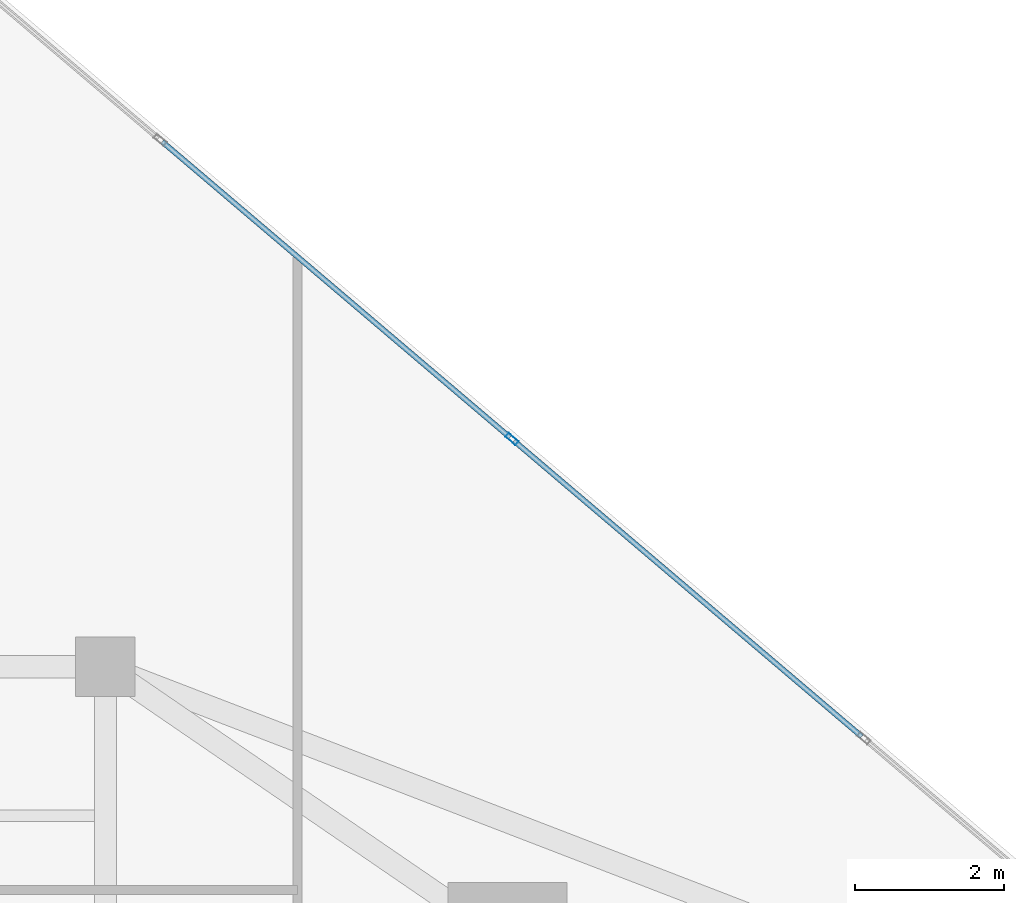
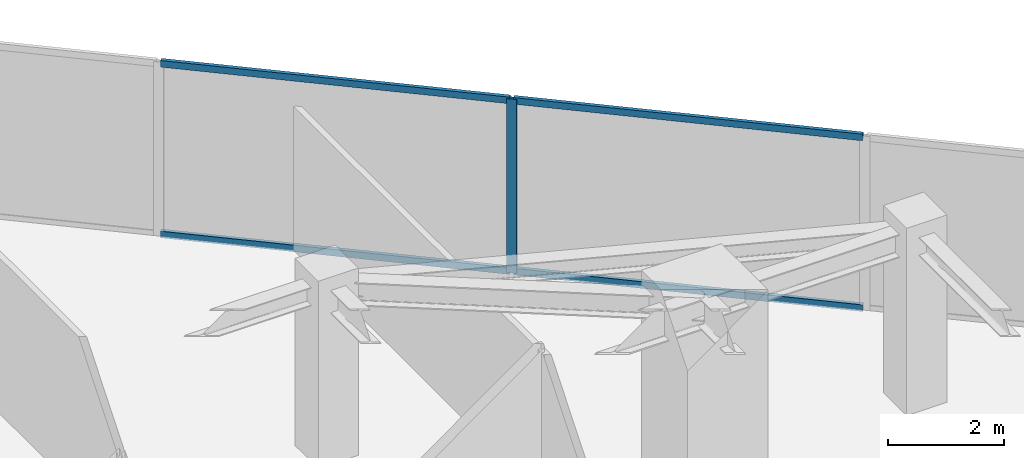
# One storey, part 20 of 26: 5 members, 1 element without a shape of its own.
"""IFC4 building model written with IfcOpenShell, lengths in metres."""

from ifc_helpers import new_model, si_unit, direction, frame, origin, origin_2d, place, context, subcontext, project, spatial, hollow_rectangle, extrude, source, transform, mapped, material, material_profile, profile_set, type_object, type_shapes, element, aggregate, save


model = new_model("IFC4")

# Units and contexts
model_context = context("Model", 3, precision=1e-05, world=origin(), true_north=direction((0.0, 1.0)))
body_context = subcontext(model_context, "Body", "Model", "MODEL_VIEW")
ifc_project = project(units=[si_unit("LENGTHUNIT", "METRE"), si_unit("AREAUNIT", "SQUARE_METRE"), si_unit("VOLUMEUNIT", "CUBIC_METRE"), si_unit("PLANEANGLEUNIT", "RADIAN"), si_unit("MASSUNIT", "GRAM", prefix="KILO")], contexts=[model_context])

# Site, building, storey
site_placement = place(None, origin())
site = spatial("IfcSite", under=ifc_project, at=site_placement, CompositionType="ELEMENT")
building_placement = place(site_placement, origin())
building = spatial("IfcBuilding", under=site, at=building_placement, Name="Krantzveldt Concourse Tower", CompositionType="ELEMENT")
storey_placement = place(building_placement, frame((0.0, 0.0, 207.300048828125)))
storey = spatial("IfcBuildingStorey", under=building, at=storey_placement, Name="L50", CompositionType="ELEMENT", Elevation=207.300048828125)

# Curtain wall, members
ifc_material = material(Name="Anodised aluminium 6063-T6", Category="aluminium")
curtain_wall_type = type_object("IfcCurtainWallType", Name="CW3", PredefinedType="USERDEFINED", material=ifc_material)
curtain_wall_placement = place(storey_placement, origin())
curtain_wall = element("IfcCurtainWall", 1, at=curtain_wall_placement, inside=storey, type_object=curtain_wall_type, Name="CW-L50-F10", ObjectType="UNITISED CURTAIN WALL", PredefinedType="USERDEFINED")
ifc_material_profile_1 = material_profile(ifc_material, hollow_rectangle(XDim=0.070068359375, YDim=0.179931640625, WallThickness=0.0048828125, at=origin_2d()), Name="Anodised aluminium 6063-T6", Category="aluminium")
ifc_profile_set_1 = profile_set([ifc_material_profile_1], Name="Anodised aluminium 6063-T6 - ALU-MULL 180x70x5")
member_type_1 = type_object("IfcMemberType", Name="CW-MUL-180", PredefinedType="MULLION", material=ifc_profile_set_1)
shared_shape_1 = source(origin(), body_context, "Body", "SweptSolid", [
    extrude(hollow_rectangle(XDim=0.070068359375, YDim=0.179931640625, WallThickness=0.0048828125, at=origin_2d()), origin(), (0.0, 0.0, 1.0), 3.669921875),
])
type_shapes(member_type_1, [shared_shape_1])
member_1_placement = place(storey_placement, frame((46.859619140625, 44.2568359375, 0.0), z_axis=(0.0, 0.0, 1.0), x_axis=(-0.647787694805, -0.761820912327, 0.0)))
member_1 = element("IfcMember", 2, at=member_1_placement, type_object=member_type_1, Name="CW-Z34 mullion 4", PredefinedType="MULLION", context=body_context, shape_type="MappedRepresentation", body=[
    mapped(shared_shape_1, transform((0.0, 0.0, 0.0), x_axis=(1.0, 0.0, 0.0), y_axis=(0.0, 1.0, 0.0), z_axis=(0.0, 0.0, 1.0), scale=1.0)),
])
ifc_material_profile_2 = material_profile(ifc_material, hollow_rectangle(XDim=0.070068359375, YDim=0.139892578125, WallThickness=0.0048828125, at=origin_2d()), Name="Anodised aluminium 6063-T6", Category="aluminium")
ifc_profile_set_2 = profile_set([ifc_material_profile_2], Name="Anodised aluminium 6063-T6 - ALU-TRAN 140x70x5")
member_type_2 = type_object("IfcMemberType", Name="CW-TRN-150", PredefinedType="USERDEFINED", material=ifc_profile_set_2)
shared_shape_2 = source(origin(), body_context, "Body", "SweptSolid", [
    extrude(hollow_rectangle(XDim=0.070068359375, YDim=0.139892578125, WallThickness=0.0048828125, at=origin_2d()), origin(), (0.0, 0.0, 1.0), 6.1298828125),
])
type_shapes(member_type_2, [shared_shape_2])
member_2_placement = place(storey_placement, frame((51.556396484375, 40.26318359375, 0.034912109375), z_axis=(-0.761817452252, 0.647791763952, 0.0), x_axis=(-0.647791763952, -0.761817452252, 0.0)))
member_2 = element("IfcMember", 3, at=member_2_placement, type_object=member_type_2, Name="CW-Z34 transom 3.1", ObjectType="TRANSOM", PredefinedType="USERDEFINED", context=body_context, shape_type="MappedRepresentation", body=[
    mapped(shared_shape_2, transform((0.0, 0.0, 0.0), x_axis=(1.0, 0.0, 0.0), y_axis=(0.0, 1.0, 0.0), z_axis=(0.0, 0.0, 1.0), scale=1.0)),
])
member_3_placement = place(storey_placement, frame((51.556396484375, 40.26318359375, 3.635009765625), z_axis=(-0.761817452252, 0.647791763952, 0.0), x_axis=(-0.647791763952, -0.761817452252, 0.0)))
member_3 = element("IfcMember", 4, at=member_3_placement, type_object=member_type_2, Name="CW-Z34 transom 3.2", ObjectType="TRANSOM", PredefinedType="USERDEFINED", context=body_context, shape_type="MappedRepresentation", body=[
    mapped(shared_shape_2, transform((0.0, 0.0, 0.0), x_axis=(1.0, 0.0, 0.0), y_axis=(0.0, 1.0, 0.0), z_axis=(0.0, 0.0, 1.0), scale=1.0)),
])
member_4_placement = place(storey_placement, frame((46.8330078125, 44.279541015625, 0.034912109375), z_axis=(-0.761817452252, 0.647791763952, 0.0), x_axis=(-0.647791763952, -0.761817452252, 0.0)))
member_4 = element("IfcMember", 5, at=member_4_placement, type_object=member_type_2, Name="CW-Z34 transom 4.1", ObjectType="TRANSOM", PredefinedType="USERDEFINED", context=body_context, shape_type="MappedRepresentation", body=[
    mapped(shared_shape_2, transform((0.0, 0.0, 0.0), x_axis=(1.0, 0.0, 0.0), y_axis=(0.0, 1.0, 0.0), z_axis=(0.0, 0.0, 1.0), scale=1.0)),
])
member_5_placement = place(storey_placement, frame((46.8330078125, 44.279541015625, 3.635009765625), z_axis=(-0.761817452252, 0.647791763952, 0.0), x_axis=(-0.647791763952, -0.761817452252, 0.0)))
member_5 = element("IfcMember", 6, at=member_5_placement, type_object=member_type_2, Name="CW-Z34 transom 4.2", ObjectType="TRANSOM", PredefinedType="USERDEFINED", context=body_context, shape_type="MappedRepresentation", body=[
    mapped(shared_shape_2, transform((0.0, 0.0, 0.0), x_axis=(1.0, 0.0, 0.0), y_axis=(0.0, 1.0, 0.0), z_axis=(0.0, 0.0, 1.0), scale=1.0)),
])
aggregate(curtain_wall, [member_1, member_2, member_3, member_4, member_5])

save(model, "model.ifc")
